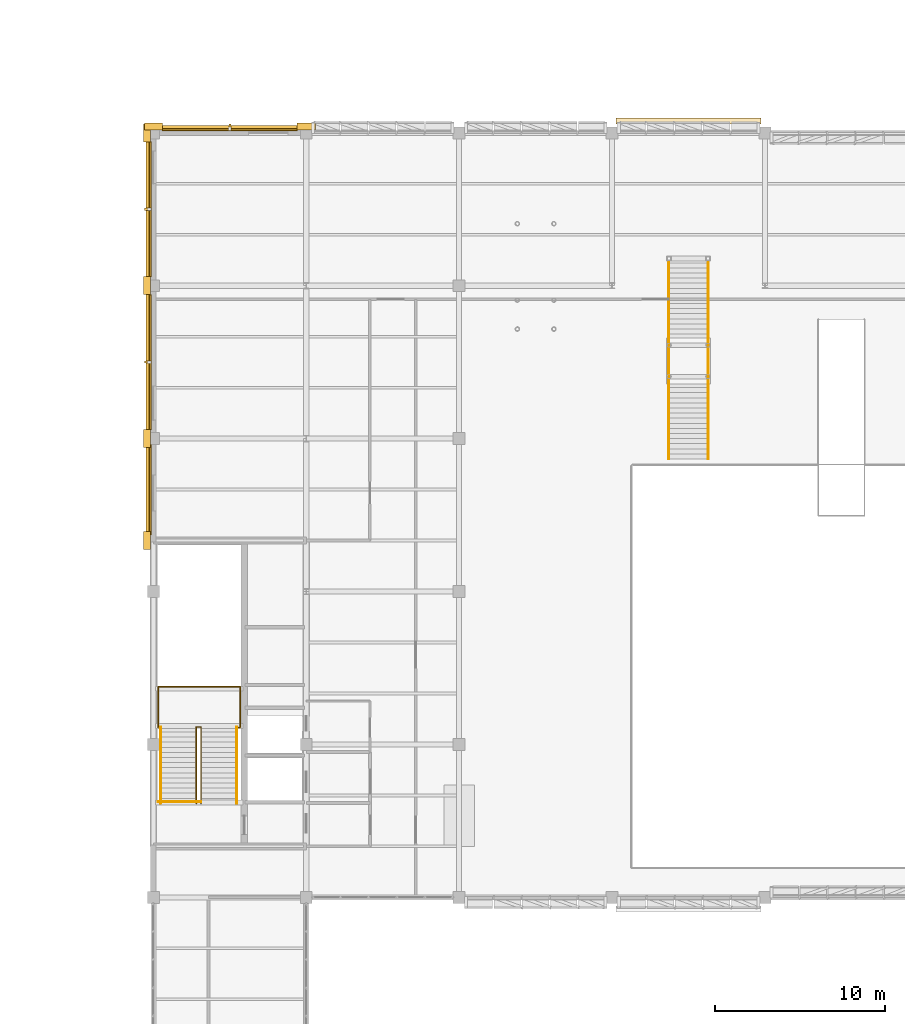
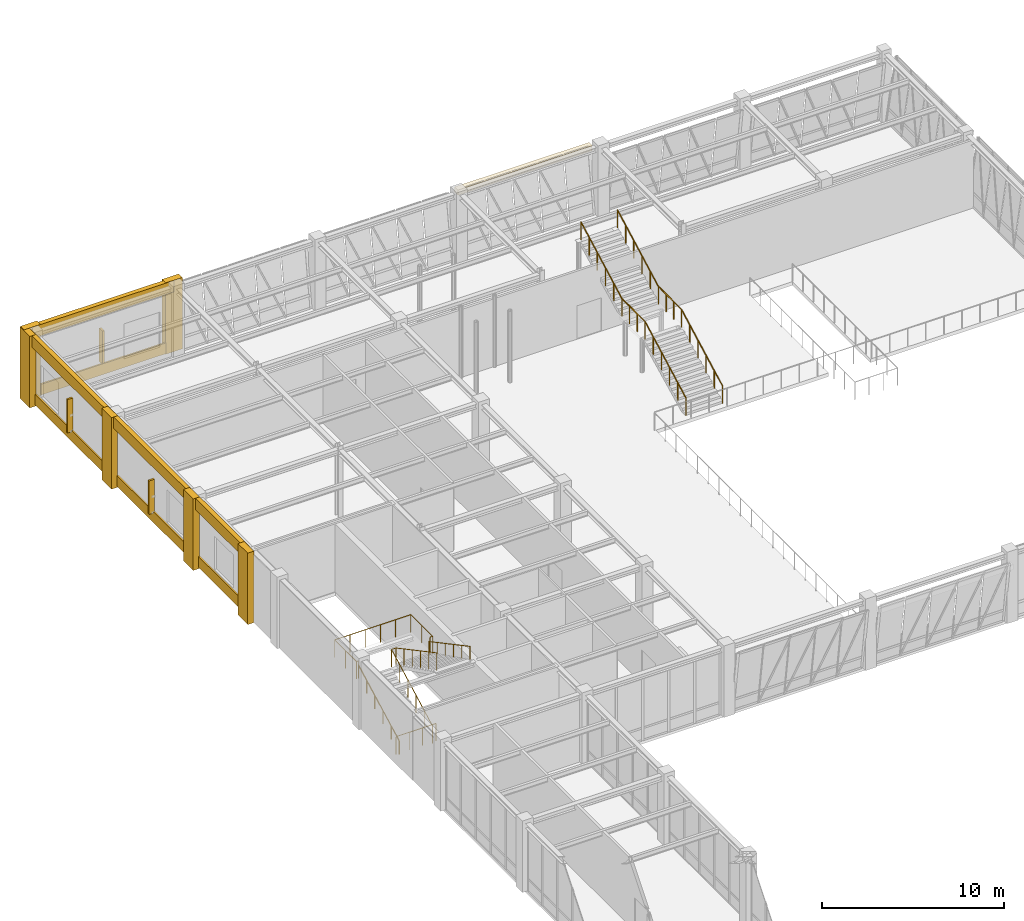
# One storey, part 96 of 98: 15 coverings, 7 railings, 3 shading devices.
"""IFC4 building model written with IfcOpenShell, lengths in metres."""

from ifc_helpers import new_model, si_unit, direction, frame, origin, origin_2d, place, context, subcontext, project, spatial, rectangle, circle, extrude, material, layer, layer_set, type_object, element, save


model = new_model("IFC4")

# Units and contexts
model_context = context("Model", 3, precision=1e-05, world=origin(), true_north=direction((0.0, 1.0)))
body_context = subcontext(model_context, "Body", "Model", "MODEL_VIEW")
ifc_project = project(units=[si_unit("LENGTHUNIT", "METRE"), si_unit("AREAUNIT", "SQUARE_METRE"), si_unit("VOLUMEUNIT", "CUBIC_METRE"), si_unit("PLANEANGLEUNIT", "RADIAN"), si_unit("MASSUNIT", "GRAM", prefix="KILO")], contexts=[model_context])

# Site, building, storey
site_placement = place(None, origin())
site = spatial("IfcSite", under=ifc_project, at=site_placement, CompositionType="ELEMENT")
building_placement = place(site_placement, origin())
building = spatial("IfcBuilding", under=site, at=building_placement, Name="Lykobir Media Centre", CompositionType="ELEMENT")
storey_placement = place(building_placement, frame((0.0, 0.0, 10.199951171875)))
storey = spatial("IfcBuildingStorey", under=building, at=storey_placement, Name="L02", CompositionType="ELEMENT", Elevation=10.199951171875)

# Coverings
ifc_material_1 = material(Name="Glazed Turquoise Terracotta", Category="masonry")
ifc_layer_1 = layer(ifc_material_1, 0.0400390625, Name="Glazed Turquoise Terracotta")
ifc_layer_set_1 = layer_set([ifc_layer_1], Name="Glazed Turquoise Terracotta")
covering_type_1 = type_object("IfcCoveringType", Name="CLD-TERR", PredefinedType="CLADDING", material=ifc_layer_set_1)
covering_1_placement = place(storey_placement, frame((31.5, 108.180908203125, 0.080078125), z_axis=(0.0, 0.0, 1.0), x_axis=(-1.0, 0.0, 0.0)))
element("IfcCovering", 1, at=covering_1_placement, inside=storey, type_object=covering_type_1, Name="Facade spandrel apron 337", PredefinedType="CLADDING", context=body_context, shape_type="SweptSolid", body=[
    extrude(rectangle(XDim=7.929931640625, YDim=0.10009765625, at=origin_2d()), origin(), (0.0, 0.0, 1.0), 0.719970703125),
])
covering_2_placement = place(storey_placement, frame((26.819091796875, 87.0, 0.080078125), z_axis=(0.0, 0.0, 1.0), x_axis=(0.0, -1.0, 0.0)))
element("IfcCovering", 2, at=covering_2_placement, inside=storey, type_object=covering_type_1, Name="Facade spandrel apron 342", PredefinedType="CLADDING", context=body_context, shape_type="SweptSolid", body=[
    extrude(rectangle(XDim=5.340087890625, YDim=0.10009765625, at=origin_2d()), origin(), (0.0, 0.0, 1.0), 0.719970703125),
])
for number, where, z_axis, x_axis, name in (
    (3, (26.819091796875, 94.5, 0.080078125), (0.0, 0.0, 1.0), (0.0, -1.0, 0.0), "Facade spandrel apron 345"),
    (4, (26.819091796875, 103.5, 0.080078125), (0.0, 0.0, 1.0), (0.0, -1.0, 0.0), "Facade spandrel apron 348"),
):
    element("IfcCovering", number, at=place(storey_placement, frame(where, z_axis=z_axis, x_axis=x_axis)), inside=storey, type_object=covering_type_1, Name=name, PredefinedType="CLADDING", context=body_context, shape_type="SweptSolid", body=[
        extrude(rectangle(XDim=7.929931640625, YDim=0.10009765625, at=origin_2d()), origin(), (0.0, 0.0, 1.0), 0.719970703125),
    ])
ifc_material_2 = material(Name="Honed Travertine Stone", Category="masonry")
ifc_layer_2 = layer(ifc_material_2, 0.050048828125, Name="Honed Travertine Stone")
ifc_layer_set_2 = layer_set([ifc_layer_2], Name="Honed Travertine Stone")
covering_type_2 = type_object("IfcCoveringType", Name="CLD-TRAV", PredefinedType="CLADDING", material=ifc_layer_set_2)
for number, where, z_axis, x_axis, name in (
    (5, (36.0, 108.3798828125, 0.0), (0.0, 0.0, 1.0), (-1.0, 0.0, 0.0), "Travertine column pier 334"),
    (6, (27.0, 108.3798828125, 0.0), (0.0, 0.0, 1.0), (-1.0, 0.0, 0.0), "Travertine column pier 335"),
):
    element("IfcCovering", number, at=place(storey_placement, frame(where, z_axis=z_axis, x_axis=x_axis)), inside=storey, type_object=covering_type_2, Name=name, PredefinedType="CLADDING", context=body_context, shape_type="SweptSolid", body=[
        extrude(rectangle(XDim=1.06005859375, YDim=0.39990234375, at=origin_2d()), origin(), (0.0, 0.0, 1.0), 4.800048828125),
    ])
covering_3_placement = place(storey_placement, frame((31.5, 108.300048828125, 4.0400390625), z_axis=(0.0, 0.0, 1.0), x_axis=(-1.0, 0.0, 0.0)))
element("IfcCovering", 7, at=covering_3_placement, inside=storey, type_object=covering_type_2, Name="Travertine spandrel stringcourse 336", PredefinedType="CLADDING", context=body_context, shape_type="SweptSolid", body=[
    extrude(rectangle(XDim=9.0, YDim=0.280029296875, at=origin_2d()), origin(), (0.0, 0.0, 1.0), 0.760009765625),
])
covering_4_placement = place(storey_placement, frame((58.5, 108.690185546875, 3.9248046875), z_axis=(0.0, 0.0, 1.0), x_axis=(-1.0, 0.0, 0.0)))
element("IfcCovering", 8, at=covering_4_placement, inside=storey, type_object=covering_type_2, Name="V6 diagonal crease rib 338", PredefinedType="CLADDING", context=body_context, shape_type="SweptSolid", body=[
    extrude(rectangle(XDim=8.530029296875, YDim=0.360107421875, at=origin_2d()), origin(), (0.0, 0.0, 1.0), 0.340087890625),
])
for number, where, z_axis, x_axis, name in (
    (9, (26.6201171875, 90.0, 0.0), (0.0, 0.0, 1.0), (0.0, -1.0, 0.0), "Travertine column pier 339"),
    (10, (26.6201171875, 84.0, 0.0), (0.0, 0.0, 1.0), (0.0, -1.0, 0.0), "Travertine column pier 340"),
):
    element("IfcCovering", number, at=place(storey_placement, frame(where, z_axis=z_axis, x_axis=x_axis)), inside=storey, type_object=covering_type_2, Name=name, PredefinedType="CLADDING", context=body_context, shape_type="SweptSolid", body=[
        extrude(rectangle(XDim=1.06005859375, YDim=0.39990234375, at=origin_2d()), origin(), (0.0, 0.0, 1.0), 4.800048828125),
    ])
covering_5_placement = place(storey_placement, frame((26.699951171875, 87.0, 4.0400390625), z_axis=(0.0, 0.0, 1.0), x_axis=(0.0, -1.0, 0.0)))
element("IfcCovering", 11, at=covering_5_placement, inside=storey, type_object=covering_type_2, Name="Travertine spandrel stringcourse 341", PredefinedType="CLADDING", context=body_context, shape_type="SweptSolid", body=[
    extrude(rectangle(XDim=6.0, YDim=0.280029296875, at=origin_2d()), origin(), (0.0, 0.0, 1.0), 0.760009765625),
])
covering_6_placement = place(storey_placement, frame((26.6201171875, 99.0, 0.0), z_axis=(0.0, 0.0, 1.0), x_axis=(0.0, -1.0, 0.0)))
element("IfcCovering", 12, at=covering_6_placement, inside=storey, type_object=covering_type_2, Name="Travertine column pier 343", PredefinedType="CLADDING", context=body_context, shape_type="SweptSolid", body=[
    extrude(rectangle(XDim=1.06005859375, YDim=0.39990234375, at=origin_2d()), origin(), (0.0, 0.0, 1.0), 4.800048828125),
])
covering_7_placement = place(storey_placement, frame((26.699951171875, 94.5, 4.0400390625), z_axis=(0.0, 0.0, 1.0), x_axis=(0.0, -1.0, 0.0)))
element("IfcCovering", 13, at=covering_7_placement, inside=storey, type_object=covering_type_2, Name="Travertine spandrel stringcourse 344", PredefinedType="CLADDING", context=body_context, shape_type="SweptSolid", body=[
    extrude(rectangle(XDim=9.0, YDim=0.280029296875, at=origin_2d()), origin(), (0.0, 0.0, 1.0), 0.760009765625),
])
covering_8_placement = place(storey_placement, frame((26.6201171875, 108.0, 0.0), z_axis=(0.0, 0.0, 1.0), x_axis=(0.0, -1.0, 0.0)))
element("IfcCovering", 14, at=covering_8_placement, inside=storey, type_object=covering_type_2, Name="Travertine column pier 346", PredefinedType="CLADDING", context=body_context, shape_type="SweptSolid", body=[
    extrude(rectangle(XDim=1.06005859375, YDim=0.39990234375, at=origin_2d()), origin(), (0.0, 0.0, 1.0), 4.800048828125),
])
covering_9_placement = place(storey_placement, frame((26.699951171875, 103.5, 4.0400390625), z_axis=(0.0, 0.0, 1.0), x_axis=(0.0, -1.0, 0.0)))
element("IfcCovering", 15, at=covering_9_placement, inside=storey, type_object=covering_type_2, Name="Travertine spandrel stringcourse 347", PredefinedType="CLADDING", context=body_context, shape_type="SweptSolid", body=[
    extrude(rectangle(XDim=9.0, YDim=0.280029296875, at=origin_2d()), origin(), (0.0, 0.0, 1.0), 0.760009765625),
])

# Railings
ifc_material_3 = material(Name="Steel S355", Category="steel")
railing_type_1 = type_object("IfcRailingType", Name="GR-1200", PredefinedType="BALUSTRADE", material=ifc_material_3)
railing_1_placement = place(storey_placement, frame((27.27001953125, 68.6298828125, 0.0)))
element("IfcRailing", 16, at=railing_1_placement, inside=storey, type_object=railing_type_1, Name="ST-3 L02 arrival well guard", PredefinedType="BALUSTRADE", context=body_context, shape_type="SweptSolid", body=[
    extrude(circle(Radius=0.02392578125, at=origin_2d()), frame((0.0, 0.0, 1.17578125), z_axis=(1.0, 0.0, 0.0), x_axis=(0.0, 1.0, 0.0)), (0.0, 0.0, 1.0), 2.5400390625),
    extrude(circle(Radius=0.02099609375, at=origin_2d()), origin(), (0.0, 0.0, 1.0), 1.15185546875),
    extrude(circle(Radius=0.02099609375, at=origin_2d()), frame((0.8466796875, 0.0, 0.0)), (0.0, 0.0, 1.0), 1.15185546875),
    extrude(circle(Radius=0.02099609375, at=origin_2d()), frame((1.693359375, 0.0, 0.0)), (0.0, 0.0, 1.0), 1.15185546875),
    extrude(circle(Radius=0.02099609375, at=origin_2d()), frame((2.5400390625, 0.0, 0.0)), (0.0, 0.0, 1.0), 1.15185546875),
])
railing_2_placement = place(storey_placement, frame((29.530029296875, 68.530029296875, 0.0)))
element("IfcRailing", 17, at=railing_2_placement, inside=storey, type_object=railing_type_1, Name="ST-3 L02 inner well and slot guard", PredefinedType="BALUSTRADE", context=body_context, shape_type="SweptSolid", body=[
    extrude(circle(Radius=0.02392578125, at=origin_2d()), frame((0.0, 0.0, 1.17578125), z_axis=(0.0, 0.882341014787, 0.470610596591), x_axis=(-1.0, 0.0, 0.0)), (0.0, 0.0, 1.0), 5.10009765625),
    extrude(circle(Radius=0.02392578125, at=origin_2d()), frame((0.0, 4.5, 3.576171875), z_axis=(1.0, 0.0, 0.0), x_axis=(0.0, 1.0, 0.0)), (0.0, 0.0, 1.0), 0.280029296875),
    extrude(circle(Radius=0.02392578125, at=origin_2d()), frame((0.280029296875, 4.5, 3.576171875), z_axis=(0.0, -0.882360891967, 0.470573327259), x_axis=(1.0, 0.0, 0.0)), (0.0, 0.0, 1.0), 5.099853515625),
    extrude(circle(Radius=0.02099609375, at=origin_2d()), origin(), (0.0, 0.0, 1.0), 1.15185546875),
    extrude(circle(Radius=0.02099609375, at=origin_2d()), frame((0.0, 0.89990234375, 0.47998046875)), (0.0, 0.0, 1.0), 1.15185546875),
    extrude(circle(Radius=0.02099609375, at=origin_2d()), frame((0.0, 1.800048828125, 0.9599609375)), (0.0, 0.0, 1.0), 1.15185546875),
    extrude(circle(Radius=0.02099609375, at=origin_2d()), frame((0.0, 2.699951171875, 1.440185546875)), (0.0, 0.0, 1.0), 1.15185546875),
    extrude(circle(Radius=0.02099609375, at=origin_2d()), frame((0.0, 3.60009765625, 1.920166015625)), (0.0, 0.0, 1.0), 1.15185546875),
    extrude(circle(Radius=0.02099609375, at=origin_2d()), frame((0.0, 4.5, 2.400146484375)), (0.0, 0.0, 1.0), 1.15185546875),
    extrude(circle(Radius=0.02099609375, at=origin_2d()), frame((0.280029296875, 4.5, 2.400146484375)), (0.0, 0.0, 1.0), 1.15185546875),
    extrude(circle(Radius=0.02099609375, at=origin_2d()), frame((0.280029296875, 3.60009765625, 2.880126953125)), (0.0, 0.0, 1.0), 1.15185546875),
    extrude(circle(Radius=0.02099609375, at=origin_2d()), frame((0.280029296875, 2.699951171875, 3.360107421875)), (0.0, 0.0, 1.0), 1.15185546875),
    extrude(circle(Radius=0.02099609375, at=origin_2d()), frame((0.280029296875, 1.800048828125, 3.840087890625)), (0.0, 0.0, 1.0), 1.15185546875),
    extrude(circle(Radius=0.02099609375, at=origin_2d()), frame((0.280029296875, 0.89990234375, 4.320068359375)), (0.0, 0.0, 1.0), 1.15185546875),
    extrude(circle(Radius=0.02099609375, at=origin_2d()), frame((0.280029296875, 0.0, 4.800048828125)), (0.0, 0.0, 1.0), 1.15185546875),
])
railing_3_placement = place(storey_placement, frame((27.389892578125, 72.989990234375, 2.400146484375)))
element("IfcRailing", 18, at=railing_3_placement, inside=storey, type_object=railing_type_1, Name="ST-3 L02 half-landing perimeter guard", PredefinedType="BALUSTRADE", context=body_context, shape_type="SweptSolid", body=[
    extrude(circle(Radius=0.02392578125, at=origin_2d()), frame((0.0, 0.0, 1.17578125), z_axis=(-1.0, 0.0, 0.0), x_axis=(0.0, -1.0, 0.0)), (0.0, 0.0, 1.0), 0.10986328125),
    extrude(circle(Radius=0.02392578125, at=origin_2d()), frame((-0.10986328125, 0.0, 1.17578125), z_axis=(0.0, 1.0, 0.0), x_axis=(-1.0, 0.0, 0.0)), (0.0, 0.0, 1.0), 2.39990234375),
    extrude(circle(Radius=0.02392578125, at=origin_2d()), frame((-0.10986328125, 2.39990234375, 1.17578125), z_axis=(1.0, 0.0, 0.0), x_axis=(0.0, 1.0, 0.0)), (0.0, 0.0, 1.0), 4.840087890625),
    extrude(circle(Radius=0.02392578125, at=origin_2d()), frame((4.730224609375, 2.39990234375, 1.17578125), z_axis=(0.0, -1.0, 0.0), x_axis=(1.0, 0.0, 0.0)), (0.0, 0.0, 1.0), 2.39990234375),
    extrude(circle(Radius=0.02392578125, at=origin_2d()), frame((4.730224609375, 0.0, 1.17578125), z_axis=(-1.0, 0.0, 0.0), x_axis=(0.0, -1.0, 0.0)), (0.0, 0.0, 1.0), 0.170166015625),
    extrude(circle(Radius=0.02099609375, at=origin_2d()), origin(), (0.0, 0.0, 1.0), 1.15185546875),
    extrude(circle(Radius=0.02099609375, at=origin_2d()), frame((-0.10986328125, 0.0, 0.0)), (0.0, 0.0, 1.0), 1.15185546875),
    extrude(circle(Radius=0.02099609375, at=origin_2d()), frame((-0.10986328125, 1.199951171875, 0.0)), (0.0, 0.0, 1.0), 1.15185546875),
    extrude(circle(Radius=0.02099609375, at=origin_2d()), frame((-0.10986328125, 2.39990234375, 0.0)), (0.0, 0.0, 1.0), 1.15185546875),
    extrude(circle(Radius=0.02099609375, at=origin_2d()), frame((0.858154296875, 2.39990234375, 0.0)), (0.0, 0.0, 1.0), 1.15185546875),
    extrude(circle(Radius=0.02099609375, at=origin_2d()), frame((1.826171875, 2.39990234375, 0.0)), (0.0, 0.0, 1.0), 1.15185546875),
    extrude(circle(Radius=0.02099609375, at=origin_2d()), frame((2.794189453125, 2.39990234375, 0.0)), (0.0, 0.0, 1.0), 1.15185546875),
    extrude(circle(Radius=0.02099609375, at=origin_2d()), frame((3.76220703125, 2.39990234375, 0.0)), (0.0, 0.0, 1.0), 1.15185546875),
    extrude(circle(Radius=0.02099609375, at=origin_2d()), frame((4.730224609375, 2.39990234375, 0.0)), (0.0, 0.0, 1.0), 1.15185546875),
    extrude(circle(Radius=0.02099609375, at=origin_2d()), frame((4.730224609375, 1.199951171875, 0.0)), (0.0, 0.0, 1.0), 1.15185546875),
    extrude(circle(Radius=0.02099609375, at=origin_2d()), frame((4.730224609375, 0.0, 0.0)), (0.0, 0.0, 1.0), 1.15185546875),
    extrude(circle(Radius=0.02099609375, at=origin_2d()), frame((4.56005859375, 0.0, 0.0)), (0.0, 0.0, 1.0), 1.15185546875),
])
railing_4_placement = place(storey_placement, frame((57.340087890625, 88.800048828125, 0.0)))
element("IfcRailing", 19, at=railing_4_placement, inside=storey, type_object=railing_type_1, Name="Valley stair 3 balustrade", PredefinedType="BALUSTRADE", context=body_context, shape_type="SweptSolid", body=[
    extrude(circle(Radius=0.02392578125, at=origin_2d()), frame((0.0, 0.0, 1.17578125), z_axis=(0.0, 0.882341014787, 0.470610596591), x_axis=(-1.0, 0.0, 0.0)), (0.0, 0.0, 1.0), 5.10009765625),
    extrude(circle(Radius=0.02392578125, at=origin_2d()), frame((0.0, 4.5, 3.576171875), z_axis=(0.0, 1.0, 0.0), x_axis=(-1.0, 0.0, 0.0)), (0.0, 0.0, 1.0), 2.550048828125),
    extrude(circle(Radius=0.02392578125, at=origin_2d()), frame((0.0, 7.050048828125, 3.576171875), z_axis=(0.0, 0.882360891967, 0.470573327259), x_axis=(-1.0, 0.0, 0.0)), (0.0, 0.0, 1.0), 5.099853515625),
    extrude(circle(Radius=0.02099609375, at=origin_2d()), origin(), (0.0, 0.0, 1.0), 1.15185546875),
    extrude(circle(Radius=0.02099609375, at=origin_2d()), frame((0.0, 0.89990234375, 0.47998046875)), (0.0, 0.0, 1.0), 1.15185546875),
    extrude(circle(Radius=0.02099609375, at=origin_2d()), frame((0.0, 1.800048828125, 0.9599609375)), (0.0, 0.0, 1.0), 1.15185546875),
    extrude(circle(Radius=0.02099609375, at=origin_2d()), frame((0.0, 2.699951171875, 1.440185546875)), (0.0, 0.0, 1.0), 1.15185546875),
    extrude(circle(Radius=0.02099609375, at=origin_2d()), frame((0.0, 3.60009765625, 1.920166015625)), (0.0, 0.0, 1.0), 1.15185546875),
    extrude(circle(Radius=0.02099609375, at=origin_2d()), frame((0.0, 4.5, 2.400146484375)), (0.0, 0.0, 1.0), 1.15185546875),
    extrude(circle(Radius=0.02099609375, at=origin_2d()), frame((0.0, 5.35009765625, 2.400146484375)), (0.0, 0.0, 1.0), 1.15185546875),
    extrude(circle(Radius=0.02099609375, at=origin_2d()), frame((0.0, 6.199951171875, 2.400146484375)), (0.0, 0.0, 1.0), 1.15185546875),
    extrude(circle(Radius=0.02099609375, at=origin_2d()), frame((0.0, 7.050048828125, 2.400146484375)), (0.0, 0.0, 1.0), 1.15185546875),
    extrude(circle(Radius=0.02099609375, at=origin_2d()), frame((0.0, 7.949951171875, 2.880126953125)), (0.0, 0.0, 1.0), 1.15185546875),
    extrude(circle(Radius=0.02099609375, at=origin_2d()), frame((0.0, 8.85009765625, 3.360107421875)), (0.0, 0.0, 1.0), 1.15185546875),
    extrude(circle(Radius=0.02099609375, at=origin_2d()), frame((0.0, 9.75, 3.840087890625)), (0.0, 0.0, 1.0), 1.15185546875),
    extrude(circle(Radius=0.02099609375, at=origin_2d()), frame((0.0, 10.650146484375, 4.320068359375)), (0.0, 0.0, 1.0), 1.15185546875),
    extrude(circle(Radius=0.02099609375, at=origin_2d()), frame((0.0, 11.550048828125, 4.800048828125)), (0.0, 0.0, 1.0), 1.15185546875),
])
railing_5_placement = place(storey_placement, frame((59.659912109375, 88.800048828125, 0.0)))
element("IfcRailing", 20, at=railing_5_placement, inside=storey, type_object=railing_type_1, Name="Valley stair 3 balustrade", PredefinedType="BALUSTRADE", context=body_context, shape_type="SweptSolid", body=[
    extrude(circle(Radius=0.02392578125, at=origin_2d()), frame((0.0, 0.0, 1.17578125), z_axis=(0.0, 0.882341014787, 0.470610596591), x_axis=(-1.0, 0.0, 0.0)), (0.0, 0.0, 1.0), 5.10009765625),
    extrude(circle(Radius=0.02392578125, at=origin_2d()), frame((0.0, 4.5, 3.576171875), z_axis=(0.0, 1.0, 0.0), x_axis=(-1.0, 0.0, 0.0)), (0.0, 0.0, 1.0), 2.550048828125),
    extrude(circle(Radius=0.02392578125, at=origin_2d()), frame((0.0, 7.050048828125, 3.576171875), z_axis=(0.0, 0.882360891967, 0.470573327259), x_axis=(-1.0, 0.0, 0.0)), (0.0, 0.0, 1.0), 5.099853515625),
    extrude(circle(Radius=0.02099609375, at=origin_2d()), origin(), (0.0, 0.0, 1.0), 1.15185546875),
    extrude(circle(Radius=0.02099609375, at=origin_2d()), frame((0.0, 0.89990234375, 0.47998046875)), (0.0, 0.0, 1.0), 1.15185546875),
    extrude(circle(Radius=0.02099609375, at=origin_2d()), frame((0.0, 1.800048828125, 0.9599609375)), (0.0, 0.0, 1.0), 1.15185546875),
    extrude(circle(Radius=0.02099609375, at=origin_2d()), frame((0.0, 2.699951171875, 1.440185546875)), (0.0, 0.0, 1.0), 1.15185546875),
    extrude(circle(Radius=0.02099609375, at=origin_2d()), frame((0.0, 3.60009765625, 1.920166015625)), (0.0, 0.0, 1.0), 1.15185546875),
    extrude(circle(Radius=0.02099609375, at=origin_2d()), frame((0.0, 4.5, 2.400146484375)), (0.0, 0.0, 1.0), 1.15185546875),
    extrude(circle(Radius=0.02099609375, at=origin_2d()), frame((0.0, 5.35009765625, 2.400146484375)), (0.0, 0.0, 1.0), 1.15185546875),
    extrude(circle(Radius=0.02099609375, at=origin_2d()), frame((0.0, 6.199951171875, 2.400146484375)), (0.0, 0.0, 1.0), 1.15185546875),
    extrude(circle(Radius=0.02099609375, at=origin_2d()), frame((0.0, 7.050048828125, 2.400146484375)), (0.0, 0.0, 1.0), 1.15185546875),
    extrude(circle(Radius=0.02099609375, at=origin_2d()), frame((0.0, 7.949951171875, 2.880126953125)), (0.0, 0.0, 1.0), 1.15185546875),
    extrude(circle(Radius=0.02099609375, at=origin_2d()), frame((0.0, 8.85009765625, 3.360107421875)), (0.0, 0.0, 1.0), 1.15185546875),
    extrude(circle(Radius=0.02099609375, at=origin_2d()), frame((0.0, 9.75, 3.840087890625)), (0.0, 0.0, 1.0), 1.15185546875),
    extrude(circle(Radius=0.02099609375, at=origin_2d()), frame((0.0, 10.650146484375, 4.320068359375)), (0.0, 0.0, 1.0), 1.15185546875),
    extrude(circle(Radius=0.02099609375, at=origin_2d()), frame((0.0, 11.550048828125, 4.800048828125)), (0.0, 0.0, 1.0), 1.15185546875),
])
railing_type_2 = type_object("IfcRailingType", Name="HR-0900", PredefinedType="HANDRAIL", material=ifc_material_3)
railing_6_placement = place(storey_placement, frame((27.429931640625, 68.530029296875, 0.0)))
element("IfcRailing", 21, at=railing_6_placement, inside=storey, type_object=railing_type_2, Name="ST-3 L02 F1 wall handrail", PredefinedType="HANDRAIL", context=body_context, shape_type="SweptSolid", body=[
    extrude(circle(Radius=0.02392578125, at=origin_2d()), frame((0.0, 0.0, 0.8759765625), z_axis=(0.0, 0.882341014787, 0.470610596591), x_axis=(-1.0, 0.0, 0.0)), (0.0, 0.0, 1.0), 5.10009765625),
    extrude(circle(Radius=0.02099609375, at=origin_2d()), origin(), (0.0, 0.0, 1.0), 0.851806640625),
    extrude(circle(Radius=0.02099609375, at=origin_2d()), frame((0.0, 0.89990234375, 0.47998046875)), (0.0, 0.0, 1.0), 0.851806640625),
    extrude(circle(Radius=0.02099609375, at=origin_2d()), frame((0.0, 1.800048828125, 0.9599609375)), (0.0, 0.0, 1.0), 0.851806640625),
    extrude(circle(Radius=0.02099609375, at=origin_2d()), frame((0.0, 2.699951171875, 1.440185546875)), (0.0, 0.0, 1.0), 0.851806640625),
    extrude(circle(Radius=0.02099609375, at=origin_2d()), frame((0.0, 3.60009765625, 1.920166015625)), (0.0, 0.0, 1.0), 0.851806640625),
    extrude(circle(Radius=0.02099609375, at=origin_2d()), frame((0.0, 4.5, 2.400146484375)), (0.0, 0.0, 1.0), 0.851806640625),
])
railing_7_placement = place(storey_placement, frame((31.909912109375, 73.030029296875, 2.400146484375)))
element("IfcRailing", 22, at=railing_7_placement, inside=storey, type_object=railing_type_2, Name="ST-3 L02 F2 wall handrail", PredefinedType="HANDRAIL", context=body_context, shape_type="SweptSolid", body=[
    extrude(circle(Radius=0.02392578125, at=origin_2d()), frame((0.0, 0.0, 0.8759765625), z_axis=(0.0, -0.882360891967, 0.470573327259), x_axis=(1.0, 0.0, 0.0)), (0.0, 0.0, 1.0), 5.099853515625),
    extrude(circle(Radius=0.02099609375, at=origin_2d()), origin(), (0.0, 0.0, 1.0), 0.851806640625),
    extrude(circle(Radius=0.02099609375, at=origin_2d()), frame((0.0, -0.89990234375, 0.47998046875)), (0.0, 0.0, 1.0), 0.851806640625),
    extrude(circle(Radius=0.02099609375, at=origin_2d()), frame((0.0, -1.800048828125, 0.9599609375)), (0.0, 0.0, 1.0), 0.851806640625),
    extrude(circle(Radius=0.02099609375, at=origin_2d()), frame((0.0, -2.699951171875, 1.43994140625)), (0.0, 0.0, 1.0), 0.851806640625),
    extrude(circle(Radius=0.02099609375, at=origin_2d()), frame((0.0, -3.60009765625, 1.919921875)), (0.0, 0.0, 1.0), 0.851806640625),
    extrude(circle(Radius=0.02099609375, at=origin_2d()), frame((0.0, -4.5, 2.39990234375)), (0.0, 0.0, 1.0), 0.851806640625),
])

# Shading devices
shading_device_type = type_object("IfcShadingDeviceType", Name="SHD-FIN", PredefinedType="USERDEFINED", material=ifc_material_1)
for number, where, z_axis, x_axis, name in (
    (23, (31.5, 108.3349609375, 0.72509765625), (0.0, 0.0, 1.0), (-1.0, 0.0, 0.0), "Terracotta shading fin 6"),
    (24, (26.6650390625, 94.5, 0.72509765625), (0.0, 0.0, 1.0), (0.0, -1.0, 0.0), "Terracotta shading fin 7"),
    (25, (26.6650390625, 103.5, 0.72509765625), (0.0, 0.0, 1.0), (0.0, -1.0, 0.0), "Terracotta shading fin 8"),
):
    element("IfcShadingDevice", number, at=place(storey_placement, frame(where, z_axis=z_axis, x_axis=x_axis)), inside=storey, type_object=shading_device_type, Name=name, ObjectType="FIN", PredefinedType="USERDEFINED", context=body_context, shape_type="SweptSolid", body=[
        extrude(rectangle(XDim=0.1201171875, YDim=0.35009765625, at=origin_2d()), origin(), (0.0, 0.0, 1.0), 2.25),
    ])

save(model, "model.ifc")
